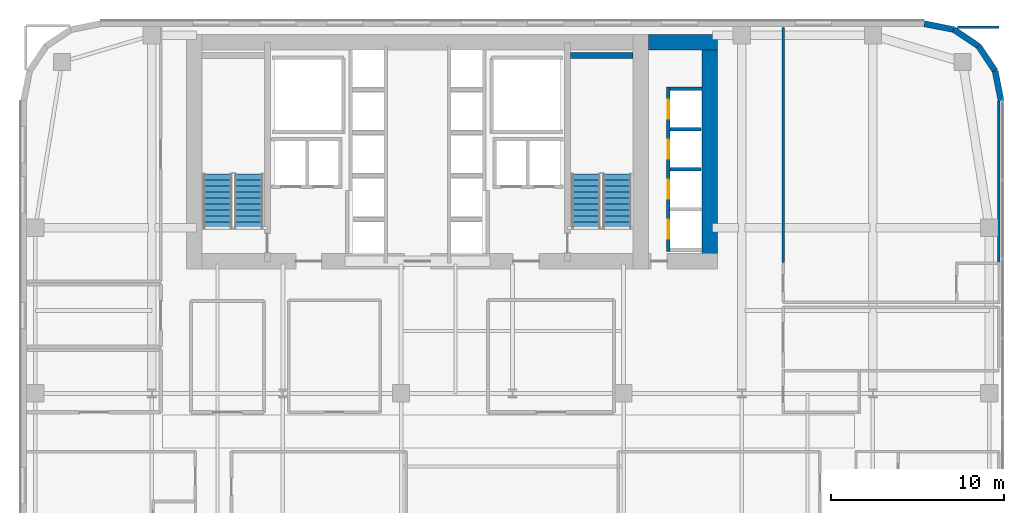
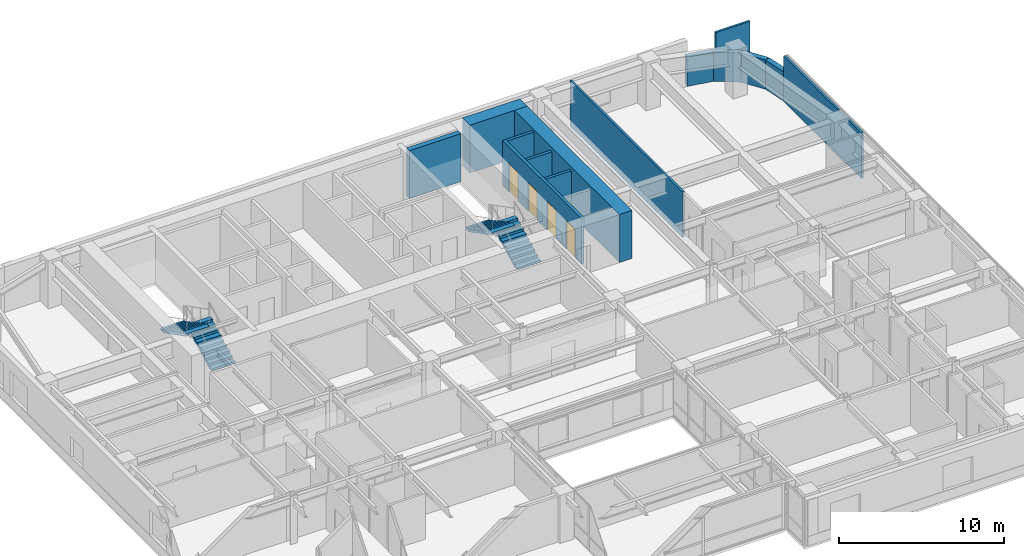
# One storey, part 26 of 31: 14 walls, 4 doors, 4 stair flights, 4 openings, 2 elements without a shape of their own.
"""IFC4 building model written with IfcOpenShell, lengths in metres."""

from ifc_helpers import new_model, si_unit, direction, frame, frame_2d, origin, place, context, subcontext, project, spatial, polyline, rectangle, outline, extrude, source, transform, mapped, material, layer, layer_set, type_object, type_shapes, element, fill, aggregate, save


model = new_model("IFC4")

# Units and contexts
model_context = context("Model", 3, precision=1e-05, world=origin(), true_north=direction((0.0, 1.0)))
body_context = subcontext(model_context, "Body", "Model", "MODEL_VIEW")
ifc_project = project(units=[si_unit("LENGTHUNIT", "METRE"), si_unit("AREAUNIT", "SQUARE_METRE"), si_unit("VOLUMEUNIT", "CUBIC_METRE"), si_unit("PLANEANGLEUNIT", "RADIAN"), si_unit("MASSUNIT", "GRAM", prefix="KILO")], contexts=[model_context])

# Site, building, storey
site_placement = place(None, origin())
site = spatial("IfcSite", under=ifc_project, at=site_placement, CompositionType="ELEMENT")
building_placement = place(site_placement, origin())
building = spatial("IfcBuilding", under=site, at=building_placement, Name="Tolvann Quenvar Hotel", CompositionType="ELEMENT")
storey_placement = place(building_placement, frame((0.0, 0.0, 74.60009765625)))
storey = spatial("IfcBuildingStorey", under=building, at=storey_placement, Name="L18", CompositionType="ELEMENT", Elevation=74.60009765625)

# Walls
ifc_material_1 = material(Name="Concrete S80 (80 MPa)", Category="concrete")
ifc_layer_1 = layer(ifc_material_1, 0.89990234375)
ifc_layer_set_1 = layer_set([ifc_layer_1], Name="Concrete S80 (80 MPa)")
wall_type_1 = type_object("IfcWallType", Name="WALL_CORE_900", PredefinedType="SHEAR", material=ifc_layer_set_1)
wall_1_placement = place(storey_placement, frame((36.39990234375, 44.75, 0.0), z_axis=(0.0, 0.0, 1.0), x_axis=(1.0, 0.0, 0.0)))
element("IfcWall", 1, at=wall_1_placement, inside=storey, type_object=wall_type_1, Name="Core East Annex Shear Wall ANN-N (L18)", PredefinedType="SHEAR", context=body_context, shape_type="SweptSolid", body=[
    extrude(rectangle(XDim=4.0, YDim=0.89990234375, at=frame_2d((2.0, 0.0))), origin(), (0.0, 0.0, 1.0), 3.5498046875),
])
wall_2_placement = place(storey_placement, frame((39.949951171875, 31.60009765625, 0.0), z_axis=(0.0, 0.0, 1.0), x_axis=(0.0, 1.0, 0.0)))
element("IfcWall", 2, at=wall_2_placement, inside=storey, type_object=wall_type_1, Name="Core East Annex Shear Wall ANN-E (L18)", PredefinedType="SHEAR", context=body_context, shape_type="SweptSolid", body=[
    extrude(rectangle(XDim=13.599853515625, YDim=0.89990234375, at=frame_2d((6.7998046875, 0.0))), origin(), (0.0, 0.0, 1.0), 3.5498046875),
])
ifc_material_2 = material(Name="Concrete S65 (65 MPa)", Category="concrete")
ifc_layer_2 = layer(ifc_material_2, 0.35009765625)
ifc_layer_set_2 = layer_set([ifc_layer_2], Name="Concrete S65 (65 MPa)")
wall_type_2 = type_object("IfcWallType", Name="WALL_CORE_INT_350", PredefinedType="SHEAR", material=ifc_layer_set_2)
wall_3_placement = place(storey_placement, frame((31.8798828125, 43.97509765625, 0.0), z_axis=(0.0, 0.0, 1.0), x_axis=(1.0, 0.0, 0.0)))
element("IfcWall", 3, at=wall_3_placement, inside=storey, type_object=wall_type_2, Name="Core Stair North Closing Shear Wall STC2-N (L18)", PredefinedType="SHEAR", context=body_context, shape_type="SweptSolid", body=[
    extrude(rectangle(XDim=3.60009765625, YDim=0.35009765625, at=frame_2d((1.800048828125, 0.0))), origin(), (0.0, 0.0, 1.0), 3.5498046875),
])
ifc_material_3 = material(Name="Kiln-fired red and buff architectural clay brickwork and terracotta masonry", Category="masonry")
ifc_layer_3 = layer(ifc_material_3, 0.35009765625)
ifc_layer_set_3 = layer_set([ifc_layer_3], Name="Kiln-fired red and buff architectural clay brickwork and terracotta masonry")
wall_type_3 = type_object("IfcWallType", Name="WALL_EXT_BRICK_350", PredefinedType="SOLIDWALL", material=ifc_layer_set_3)
wall_4_placement = place(storey_placement, frame((56.824951171875, 41.3828125, 0.0), z_axis=(0.0, 0.0, 1.0), x_axis=(-0.195011420161, 0.980800971659, 0.0)))
element("IfcWall", 4, at=wall_4_placement, inside=storey, type_object=wall_type_3, Name="Exterior Chicago Brick Wall L18-E14", PredefinedType="SOLIDWALL", context=body_context, shape_type="SweptSolid", body=[
    extrude(rectangle(XDim=1.74267578125, YDim=0.35009765625, at=frame_2d((0.871337890625, 0.0))), origin(), (0.0, 0.0, 1.0), 2.159912109375),
])
for number, where, z_axis, x_axis, name in (
    (5, (56.485107421875, 43.092041015625, 0.0), (0.0, 0.0, 1.0), (-0.55554893791, 0.831483840845, 0.0), "Exterior Chicago Brick Wall L18-E15"),
    (6, (55.526611328125, 44.526611328125, 0.0), (0.0, 0.0, 1.0), (-0.831483840845, 0.55554893791, 0.0), "Exterior Chicago Brick Wall L18-E16"),
):
    element("IfcWall", number, at=place(storey_placement, frame(where, z_axis=z_axis, x_axis=x_axis)), inside=storey, type_object=wall_type_3, Name=name, PredefinedType="SOLIDWALL", context=body_context, shape_type="SweptSolid", body=[
        extrude(rectangle(XDim=1.725341796875, YDim=0.35009765625, at=frame_2d((0.86279296875, 0.0))), origin(), (0.0, 0.0, 1.0), 2.159912109375),
    ])
wall_5_placement = place(storey_placement, frame((54.092041015625, 45.485107421875, 0.0), z_axis=(0.0, 0.0, 1.0), x_axis=(-0.980800971659, 0.195011420161, 0.0)))
element("IfcWall", 7, at=wall_5_placement, inside=storey, type_object=wall_type_3, Name="Exterior Chicago Brick Wall L18-E17", PredefinedType="SOLIDWALL", context=body_context, shape_type="SweptSolid", body=[
    extrude(rectangle(XDim=1.74267578125, YDim=0.35009765625, at=frame_2d((0.871337890625, 0.0))), origin(), (0.0, 0.0, 1.0), 2.159912109375),
])
ifc_material_4 = material(Name="Acoustic twin-stud fire-rated gypsum plasterboard partition")
ifc_layer_4 = layer(ifc_material_4, 0.14990234375)
ifc_layer_set_4 = layer_set([ifc_layer_4], Name="Acoustic twin-stud fire-rated gypsum plasterboard partition")
wall_type_4 = type_object("IfcWallType", Name="WALL_PART_SUITE_150", PredefinedType="PARTITIONING", material=ifc_layer_set_4)
wall_6_placement = place(storey_placement, frame((56.699951171875, 31.949951171875, 0.0), z_axis=(0.0, 0.0, 1.0), x_axis=(0.0, 1.0, 0.0)))
element("IfcWall", 8, at=wall_6_placement, inside=storey, type_object=wall_type_4, Name="Interior Partition PT-SPC-L18-RM-NE01-E4", PredefinedType="PARTITIONING", context=body_context, shape_type="SweptSolid", body=[
    extrude(rectangle(XDim=9.407958984375, YDim=0.14990234375, at=frame_2d((4.7041015625, 0.0))), origin(), (0.0, 0.0, 1.0), 3.369873046875),
])
wall_7_placement = place(storey_placement, frame((54.303955078125, 45.6201171875, 0.0), z_axis=(0.0, 0.0, 1.0), x_axis=(1.0, 0.0, 0.0)))
element("IfcWall", 9, at=wall_7_placement, inside=storey, type_object=wall_type_4, Name="Interior Partition PT-SPC-L18-RM-NE01-E5", PredefinedType="PARTITIONING", context=body_context, shape_type="SweptSolid", body=[
    extrude(rectangle(XDim=2.39599609375, YDim=0.14990234375, at=frame_2d((1.197998046875, 0.0))), origin(), (0.0, 0.0, 1.0), 3.369873046875),
])
wall_8_placement = place(storey_placement, frame((44.199951171875, 31.969970703125, 0.0), z_axis=(0.0, 0.0, 1.0), x_axis=(0.0, 1.0, 0.0)))
element("IfcWall", 10, at=wall_8_placement, inside=storey, type_object=wall_type_4, Name="Interior Partition PT-SPC-L18-RM-NE01-E6", PredefinedType="PARTITIONING", context=body_context, shape_type="SweptSolid", body=[
    extrude(rectangle(XDim=13.625, YDim=0.14990234375, at=frame_2d((6.8125, 0.0))), origin(), (0.0, 0.0, 1.0), 3.369873046875),
])

# Wall, openings, doors
ifc_material_5 = material(Name="Concrete N40 (40 MPa)", Category="concrete")
ifc_layer_5 = layer(ifc_material_5, 0.199951171875)
ifc_layer_set_5 = layer_set([ifc_layer_5], Name="Concrete N40 (40 MPa)")
wall_type_5 = type_object("IfcWallType", Name="WALL_SHAFT_200", PredefinedType="SOLIDWALL", material=ifc_layer_set_5)
wall_9_placement = place(storey_placement, frame((37.530029296875, 32.610107421875, 0.0), z_axis=(0.0, 0.0, 1.0), x_axis=(0.0, 1.0, 0.0)))
wall_9 = element("IfcWall", 11, at=wall_9_placement, inside=storey, type_object=wall_type_5, Name="Lift Bank W37.6C1 Hoistway Front Wall (L18)", PredefinedType="SOLIDWALL", context=body_context, shape_type="SweptSolid", body=[
    extrude(rectangle(XDim=9.539794921875, YDim=0.199951171875, at=frame_2d((4.77001953125, 0.0))), origin(), (0.0, 0.0, 1.0), 3.369873046875),
])
opening_1_placement = place(wall_9_placement, frame((0.739990234375, 0.0, 0.0)))
opening_1 = element("IfcOpeningElement", 12, at=opening_1_placement, cuts=wall_9, Name="Opening LD-01", PredefinedType="OPENING", context=body_context, shape_type="SweptSolid", body=[
    extrude(rectangle(XDim=1.10009765625, YDim=2.1201171875, at=frame_2d((0.550048828125, 1.06005859375))), frame((0.0, 0.10986328125, 0.0), z_axis=(0.0, -1.0, 0.0), x_axis=(1.0, 0.0, 0.0)), (0.0, 0.0, 1.0), 0.219970703125),
])
opening_2_placement = place(wall_9_placement, frame((3.06005859375, 0.0, 0.0)))
opening_2 = element("IfcOpeningElement", 13, at=opening_2_placement, cuts=wall_9, Name="Opening LD-01", PredefinedType="OPENING", context=body_context, shape_type="SweptSolid", body=[
    extrude(rectangle(XDim=1.10009765625, YDim=2.1201171875, at=frame_2d((0.550048828125, 1.06005859375))), frame((0.0, 0.10986328125, 0.0), z_axis=(0.0, -1.0, 0.0), x_axis=(1.0, 0.0, 0.0)), (0.0, 0.0, 1.0), 0.219970703125),
])
opening_3_placement = place(wall_9_placement, frame((5.3798828125, 0.0, 0.0)))
opening_3 = element("IfcOpeningElement", 14, at=opening_3_placement, cuts=wall_9, Name="Opening LD-01", PredefinedType="OPENING", context=body_context, shape_type="SweptSolid", body=[
    extrude(rectangle(XDim=1.10009765625, YDim=2.1201171875, at=frame_2d((0.550048828125, 1.06005859375))), frame((0.0, 0.10986328125, 0.0), z_axis=(0.0, -1.0, 0.0), x_axis=(1.0, 0.0, 0.0)), (0.0, 0.0, 1.0), 0.219970703125),
])
opening_4_placement = place(wall_9_placement, frame((7.699951171875, 0.0, 0.0)))
opening_4 = element("IfcOpeningElement", 15, at=opening_4_placement, cuts=wall_9, Name="Opening LD-01", PredefinedType="OPENING", context=body_context, shape_type="SweptSolid", body=[
    extrude(rectangle(XDim=1.10009765625, YDim=2.1201171875, at=frame_2d((0.550048828125, 1.06005859375))), frame((0.0, 0.10986328125, 0.0), z_axis=(0.0, -1.0, 0.0), x_axis=(1.0, 0.0, 0.0)), (0.0, 0.0, 1.0), 0.219970703125),
])
ifc_material_6 = material(Name="Brushed 316 stainless steel automatic sliding lift landing door", Category="steel")
door_type = type_object("IfcDoorType", Name="DOOR_LIFT_SLIDE_1100", OperationType="NOTDEFINED", PredefinedType="DOOR", material=ifc_material_6)
shared_shape = source(origin(), body_context, "Body", "SweptSolid", [
    extrude(rectangle(XDim=1.10009765625, YDim=2.1201171875, at=frame_2d((0.550048828125, 1.06005859375))), frame((0.0, 0.02490234375, 0.0), z_axis=(0.0, -1.0, 0.0), x_axis=(1.0, 0.0, 0.0)), (0.0, 0.0, 1.0), 0.050048828125),
])
type_shapes(door_type, [shared_shape])
door_1_placement = place(opening_1_placement, origin())
door_1 = element("IfcDoor", 16, at=door_1_placement, inside=storey, type_object=door_type, Name="Lift PL-1 Sliding Landing Door (L18)", OperationType="SLIDING_TO_LEFT", OverallHeight=2.1201171875, OverallWidth=1.10009765625, PredefinedType="DOOR", context=body_context, shape_type="MappedRepresentation", body=[
    mapped(shared_shape, transform((0.0, 0.0, 0.0), x_axis=(1.0, 0.0, 0.0), y_axis=(0.0, 1.0, 0.0), z_axis=(0.0, 0.0, 1.0), scale=1.0)),
])
fill(opening_1, door_1)
door_2_placement = place(opening_2_placement, origin())
door_2 = element("IfcDoor", 17, at=door_2_placement, inside=storey, type_object=door_type, Name="Lift PL-2 Sliding Landing Door (L18)", OperationType="SLIDING_TO_RIGHT", OverallHeight=2.1201171875, OverallWidth=1.10009765625, PredefinedType="DOOR", context=body_context, shape_type="MappedRepresentation", body=[
    mapped(shared_shape, transform((0.0, 0.0, 0.0), x_axis=(1.0, 0.0, 0.0), y_axis=(0.0, 1.0, 0.0), z_axis=(0.0, 0.0, 1.0), scale=1.0)),
])
fill(opening_2, door_2)
door_3_placement = place(opening_3_placement, origin())
door_3 = element("IfcDoor", 18, at=door_3_placement, inside=storey, type_object=door_type, Name="Lift PL-3 Sliding Landing Door (L18)", OperationType="SLIDING_TO_LEFT", OverallHeight=2.1201171875, OverallWidth=1.10009765625, PredefinedType="DOOR", context=body_context, shape_type="MappedRepresentation", body=[
    mapped(shared_shape, transform((0.0, 0.0, 0.0), x_axis=(1.0, 0.0, 0.0), y_axis=(0.0, 1.0, 0.0), z_axis=(0.0, 0.0, 1.0), scale=1.0)),
])
fill(opening_3, door_3)
door_4_placement = place(opening_4_placement, origin())
door_4 = element("IfcDoor", 19, at=door_4_placement, inside=storey, type_object=door_type, Name="Lift PL-4 Sliding Landing Door (L18)", OperationType="SLIDING_TO_RIGHT", OverallHeight=2.1201171875, OverallWidth=1.10009765625, PredefinedType="DOOR", context=body_context, shape_type="MappedRepresentation", body=[
    mapped(shared_shape, transform((0.0, 0.0, 0.0), x_axis=(1.0, 0.0, 0.0), y_axis=(0.0, 1.0, 0.0), z_axis=(0.0, 0.0, 1.0), scale=1.0)),
])
fill(opening_4, door_4)

# Walls
wall_10_placement = place(storey_placement, frame((37.6298828125, 42.050048828125, 0.0), z_axis=(0.0, 0.0, 1.0), x_axis=(1.0, 0.0, 0.0)))
element("IfcWall", 20, at=wall_10_placement, inside=storey, type_object=wall_type_5, Name="Lift Bank W37.6C1 Hoistway Cheek Wall 2 (L18)", PredefinedType="SOLIDWALL", context=body_context, shape_type="SweptSolid", body=[
    extrude(rectangle(XDim=1.8701171875, YDim=0.199951171875, at=frame_2d((0.93505859375, 0.0))), origin(), (0.0, 0.0, 1.0), 3.369873046875),
])
for number, where, z_axis, x_axis, name in (
    (21, (37.6298828125, 37.3798828125, 0.0), (0.0, 0.0, 1.0), (1.0, 0.0, 0.0), "Lift Bank W37.6C1 Divider Wall 2 (L18)"),
    (22, (37.6298828125, 39.699951171875, 0.0), (0.0, 0.0, 1.0), (1.0, 0.0, 0.0), "Lift Bank W37.6C1 Divider Wall 3 (L18)"),
):
    element("IfcWall", number, at=place(storey_placement, frame(where, z_axis=z_axis, x_axis=x_axis)), inside=storey, type_object=wall_type_5, Name=name, PredefinedType="SOLIDWALL", context=body_context, shape_type="SweptSolid", body=[
        extrude(rectangle(XDim=1.800048828125, YDim=0.199951171875, at=frame_2d((0.89990234375, 0.0))), origin(), (0.0, 0.0, 1.0), 3.369873046875),
    ])

# Stair, stair flights
stair_type = type_object("IfcStairType", Name="STAIR", PredefinedType="HALF_TURN_STAIR", material=ifc_material_5)
stair_1_placement = place(storey_placement, origin())
stair_1 = element("IfcStair", 23, at=stair_1_placement, inside=storey, type_object=stair_type, Name="L18 ST-C1", PredefinedType="HALF_TURN_STAIR")
stair_flight_type = type_object("IfcStairFlightType", Name="STAIR_FLIGHT", PredefinedType="STRAIGHT", material=ifc_material_5)
stair_flight_1_placement = place(storey_placement, frame((13.22509765625, 34.0, 0.0), z_axis=(0.0, 0.0, 1.0), x_axis=(0.0, 1.0, 0.0)))
stair_flight_1 = element("IfcStairFlight", 24, at=stair_flight_1_placement, type_object=stair_flight_type, Name="ST-C1 flight 1", NumberOfRisers=10, NumberOfTreads=9, PredefinedType="STRAIGHT", RiserHeight=0.1775, TreadLength=0.345, context=body_context, shape_type="SweptSolid", body=[
    extrude(outline(polyline([(0.0, 0.0), (0.0, 0.177490234375), (0.344970703125, 0.177490234375), (0.344970703125, 0.35498046875), (0.68994140625, 0.35498046875), (0.68994140625, 0.532470703125), (1.034912109375, 0.532470703125), (1.034912109375, 0.7099609375), (1.3798828125, 0.7099609375), (1.3798828125, 0.887451171875), (1.72509765625, 0.887451171875), (1.72509765625, 1.06494140625), (2.070068359375, 1.06494140625), (2.070068359375, 1.242431640625), (2.4150390625, 1.242431640625), (2.4150390625, 1.419921875), (2.760009765625, 1.419921875), (2.760009765625, 1.597412109375), (3.10498046875, 1.597412109375), (3.10498046875, 1.77490234375), (3.10498046875, 1.428955078125), (0.32763671875, 0.0), (0.0, 0.0)])), frame((0.0, 0.824951171875, 0.0), z_axis=(0.0, -1.0, 0.0), x_axis=(1.0, 0.0, 0.0)), (0.0, 0.0, 1.0), 1.64990234375),
])
stair_flight_2_placement = place(storey_placement, frame((11.425048828125, 37.10498046875, 1.77490234375), z_axis=(0.0, 0.0, 1.0), x_axis=(0.0, -1.0, 0.0)))
stair_flight_2 = element("IfcStairFlight", 25, at=stair_flight_2_placement, type_object=stair_flight_type, Name="ST-C1 flight 2", NumberOfRisers=10, NumberOfTreads=9, PredefinedType="STRAIGHT", RiserHeight=0.1775, TreadLength=0.345, context=body_context, shape_type="SweptSolid", body=[
    extrude(outline(polyline([(0.0, 0.0), (0.0, 0.177490234375), (0.344970703125, 0.177490234375), (0.344970703125, 0.35498046875), (0.68994140625, 0.35498046875), (0.68994140625, 0.532470703125), (1.034912109375, 0.532470703125), (1.034912109375, 0.7099609375), (1.3798828125, 0.7099609375), (1.3798828125, 0.887451171875), (1.72509765625, 0.887451171875), (1.72509765625, 1.06494140625), (2.070068359375, 1.06494140625), (2.070068359375, 1.242431640625), (2.4150390625, 1.242431640625), (2.4150390625, 1.419921875), (2.760009765625, 1.419921875), (2.760009765625, 1.597412109375), (3.10498046875, 1.597412109375), (3.10498046875, 1.77490234375), (3.10498046875, 1.428955078125), (0.32763671875, 0.0), (0.0, 0.0)])), frame((0.0, 0.824951171875, 0.0), z_axis=(0.0, -1.0, 0.0), x_axis=(1.0, 0.0, 0.0)), (0.0, 0.0, 1.0), 1.64990234375),
])
aggregate(stair_1, [stair_flight_1, stair_flight_2])

stair_2_placement = place(storey_placement, origin())
stair_2 = element("IfcStair", 26, at=stair_2_placement, inside=storey, type_object=stair_type, Name="L18 ST-C2", PredefinedType="HALF_TURN_STAIR")
stair_flight_3_placement = place(storey_placement, frame((34.574951171875, 34.0, 0.0), z_axis=(0.0, 0.0, 1.0), x_axis=(0.0, 1.0, 0.0)))
stair_flight_3 = element("IfcStairFlight", 27, at=stair_flight_3_placement, type_object=stair_flight_type, Name="ST-C2 flight 1", NumberOfRisers=10, NumberOfTreads=9, PredefinedType="STRAIGHT", RiserHeight=0.1775, TreadLength=0.345, context=body_context, shape_type="SweptSolid", body=[
    extrude(outline(polyline([(0.0, 0.0), (0.0, 0.177490234375), (0.344970703125, 0.177490234375), (0.344970703125, 0.35498046875), (0.68994140625, 0.35498046875), (0.68994140625, 0.532470703125), (1.034912109375, 0.532470703125), (1.034912109375, 0.7099609375), (1.3798828125, 0.7099609375), (1.3798828125, 0.887451171875), (1.72509765625, 0.887451171875), (1.72509765625, 1.06494140625), (2.070068359375, 1.06494140625), (2.070068359375, 1.242431640625), (2.4150390625, 1.242431640625), (2.4150390625, 1.419921875), (2.760009765625, 1.419921875), (2.760009765625, 1.597412109375), (3.10498046875, 1.597412109375), (3.10498046875, 1.77490234375), (3.10498046875, 1.428955078125), (0.32763671875, 0.0), (0.0, 0.0)])), frame((0.0, 0.824951171875, 0.0), z_axis=(0.0, -1.0, 0.0), x_axis=(1.0, 0.0, 0.0)), (0.0, 0.0, 1.0), 1.64990234375),
])
stair_flight_4_placement = place(storey_placement, frame((32.77490234375, 37.10498046875, 1.77490234375), z_axis=(0.0, 0.0, 1.0), x_axis=(0.0, -1.0, 0.0)))
stair_flight_4 = element("IfcStairFlight", 28, at=stair_flight_4_placement, type_object=stair_flight_type, Name="ST-C2 flight 2", NumberOfRisers=10, NumberOfTreads=9, PredefinedType="STRAIGHT", RiserHeight=0.1775, TreadLength=0.345, context=body_context, shape_type="SweptSolid", body=[
    extrude(outline(polyline([(0.0, 0.0), (0.0, 0.177490234375), (0.344970703125, 0.177490234375), (0.344970703125, 0.35498046875), (0.68994140625, 0.35498046875), (0.68994140625, 0.532470703125), (1.034912109375, 0.532470703125), (1.034912109375, 0.7099609375), (1.3798828125, 0.7099609375), (1.3798828125, 0.887451171875), (1.72509765625, 0.887451171875), (1.72509765625, 1.06494140625), (2.070068359375, 1.06494140625), (2.070068359375, 1.242431640625), (2.4150390625, 1.242431640625), (2.4150390625, 1.419921875), (2.760009765625, 1.419921875), (2.760009765625, 1.597412109375), (3.10498046875, 1.597412109375), (3.10498046875, 1.77490234375), (3.10498046875, 1.428955078125), (0.32763671875, 0.0), (0.0, 0.0)])), frame((0.0, 0.824951171875, 0.0), z_axis=(0.0, -1.0, 0.0), x_axis=(1.0, 0.0, 0.0)), (0.0, 0.0, 1.0), 1.64990234375),
])
aggregate(stair_2, [stair_flight_3, stair_flight_4])

save(model, "model.ifc")
